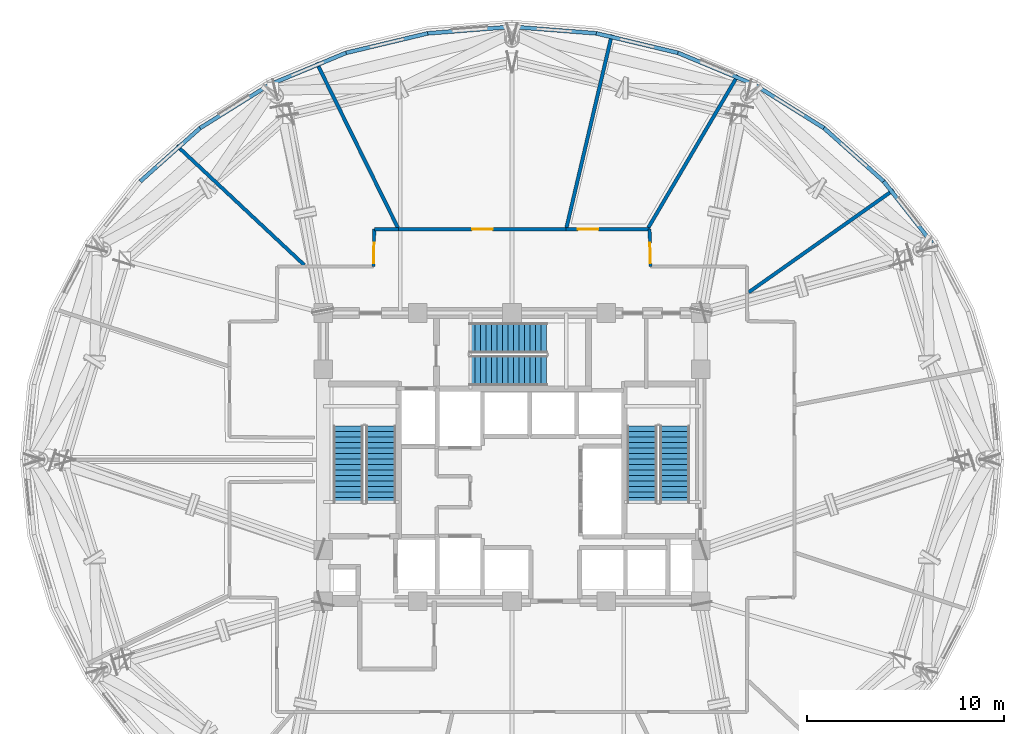
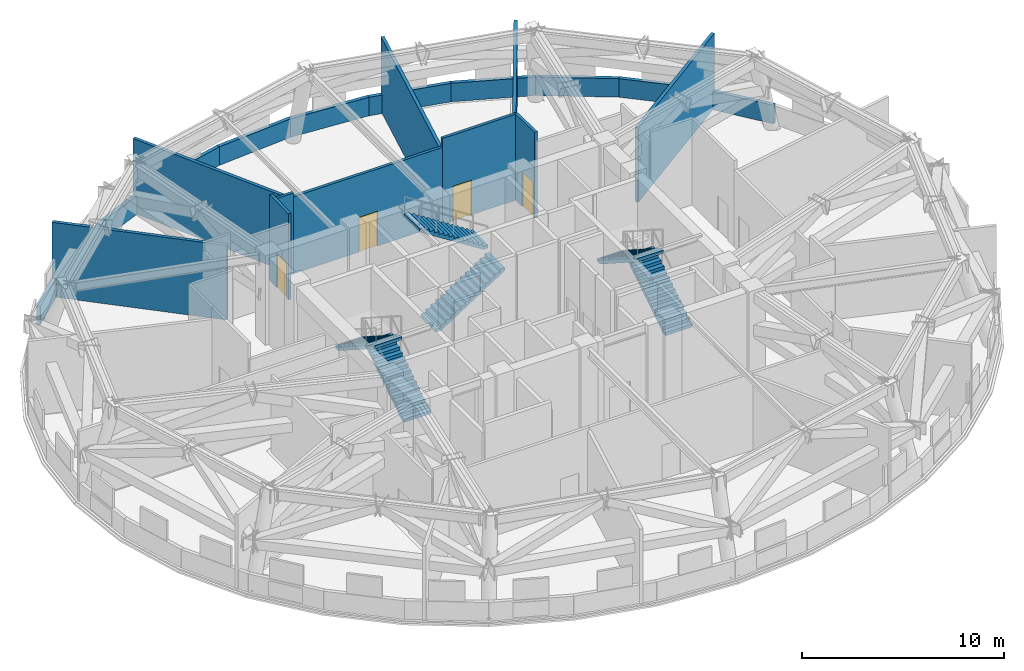
# One storey, part 9 of 13: 21 walls, 6 stair flights, 4 doors, 4 openings, 3 elements without a shape of their own.
"""IFC4 building model written with IfcOpenShell, lengths in metres."""

from ifc_helpers import new_model, si_unit, direction, frame, frame_2d, origin, place, context, subcontext, project, spatial, polyline, rectangle, outline, extrude, material, layer, layer_set, type_object, element, fill, aggregate, save


model = new_model("IFC4")

# Units and contexts
model_context = context("Model", 3, precision=1e-05, world=origin(), true_north=direction((0.0, 1.0)))
body_context = subcontext(model_context, "Body", "Model", "MODEL_VIEW")
ifc_project = project(units=[si_unit("LENGTHUNIT", "METRE"), si_unit("AREAUNIT", "SQUARE_METRE"), si_unit("VOLUMEUNIT", "CUBIC_METRE"), si_unit("PLANEANGLEUNIT", "RADIAN"), si_unit("MASSUNIT", "GRAM", prefix="KILO")], contexts=[model_context])

# Site, building, storey
site_placement = place(None, origin())
site = spatial("IfcSite", under=ifc_project, at=site_placement, CompositionType="ELEMENT")
building_placement = place(site_placement, origin())
building = spatial("IfcBuilding", under=site, at=building_placement, Name="Vantalir Tower", CompositionType="ELEMENT")
storey_placement = place(building_placement, frame((0.0, 0.0, 175.949951171875)))
storey = spatial("IfcBuildingStorey", under=building, at=storey_placement, Name="L44", CompositionType="ELEMENT", Elevation=175.949951171875)

# Wall, opening, door
ifc_material_1 = material(Name="Fire-rated hotel corridor acoustic partition", Category="gypsum")
ifc_layer_1 = layer(ifc_material_1, 0.159912109375)
ifc_layer_set_1 = layer_set([ifc_layer_1], Name="Fire-rated hotel corridor acoustic partition")
wall_type_1 = type_object("IfcWallType", Name="WL-CORR-160", PredefinedType="PARTITIONING", material=ifc_layer_set_1)
wall_1_placement = place(storey_placement, frame((24.4599609375, 34.81494140625, 0.0), z_axis=(0.0, 0.0, 1.0), x_axis=(0.019012366542, 0.999819248624, 0.0)))
wall_1 = element("IfcWall", 1, at=wall_1_placement, inside=storey, type_object=wall_type_1, Name="L44 Corridor Partition 08", PredefinedType="PARTITIONING", context=body_context, shape_type="SweptSolid", body=[
    extrude(rectangle(XDim=1.900390625, YDim=0.159912109375, at=frame_2d((0.9501953125, 0.0))), origin(), (0.0, 0.0, 1.0), 5.199951171875),
])
opening_1_placement = place(wall_1_placement, frame((0.159912109375, 0.0, 0.0)))
opening_1 = element("IfcOpeningElement", 2, at=opening_1_placement, cuts=wall_1, Name="Opening D-ST", PredefinedType="OPENING", context=body_context, shape_type="SweptSolid", body=[
    extrude(rectangle(XDim=1.050048828125, YDim=2.10009765625, at=frame_2d((0.52490234375, 1.050048828125))), frame((0.0, 0.08984375, 0.0), z_axis=(0.0, -1.0, 0.0), x_axis=(1.0, 0.0, 0.0)), (0.0, 0.0, 1.0), 0.179931640625),
])
ifc_material_2 = material(Name="Fire-rated steel door leaf", Category="steel")
door_type = type_object("IfcDoorType", Name="DR-FIRE-STAIR-1050", OperationType="NOTDEFINED", PredefinedType="DOOR", material=ifc_material_2)
door_1_placement = place(opening_1_placement, origin())
door_1 = element("IfcDoor", 3, at=door_1_placement, inside=storey, type_object=door_type, Name="L44 North Dehumidification Plant Room Door", OperationType="SINGLE_SWING_RIGHT", OverallHeight=2.10009765625, OverallWidth=1.050048828125, PredefinedType="DOOR", context=body_context, shape_type="SweptSolid", body=[
    extrude(rectangle(XDim=1.050048828125, YDim=2.10009765625, at=frame_2d((0.52490234375, 1.050048828125))), frame((0.0, 0.02490234375, 0.0), z_axis=(0.0, -1.0, 0.0), x_axis=(1.0, 0.0, 0.0)), (0.0, 0.0, 1.0), 0.050048828125),
])
fill(opening_1, door_1)

# Wall
wall_2_placement = place(storey_placement, frame((24.49609375, 36.715087890625, 0.0), z_axis=(0.0, 0.0, 1.0), x_axis=(1.0, 0.0, 0.0)))
element("IfcWall", 4, at=wall_2_placement, inside=storey, type_object=wall_type_1, Name="L44 Corridor Partition 09", PredefinedType="PARTITIONING", context=body_context, shape_type="SweptSolid", body=[
    extrude(rectangle(XDim=1.23681640625, YDim=0.159912109375, at=frame_2d((0.618408203125, 0.0))), origin(), (0.0, 0.0, 1.0), 4.886962890625),
])

# Wall, opening, door
wall_3_placement = place(storey_placement, frame((25.73291015625, 36.715087890625, 0.0), z_axis=(0.0, 0.0, 1.0), x_axis=(1.0, 0.0, 0.0)))
wall_3 = element("IfcWall", 5, at=wall_3_placement, inside=storey, type_object=wall_type_1, Name="L44 Corridor Partition 10", PredefinedType="PARTITIONING", context=body_context, shape_type="SweptSolid", body=[
    extrude(rectangle(XDim=8.52001953125, YDim=0.159912109375, at=frame_2d((4.260009765625, 0.0))), origin(), (0.0, 0.0, 1.0), 4.656005859375),
])
opening_2_placement = place(wall_3_placement, frame((3.735107421875, 0.0, 0.0)))
opening_2 = element("IfcOpeningElement", 6, at=opening_2_placement, cuts=wall_3, Name="Opening D-ST", PredefinedType="OPENING", context=body_context, shape_type="SweptSolid", body=[
    extrude(rectangle(XDim=1.050048828125, YDim=2.10009765625, at=frame_2d((0.52490234375, 1.050048828125))), frame((0.0, 0.08984375, 0.0), z_axis=(0.0, -1.0, 0.0), x_axis=(1.0, 0.0, 0.0)), (0.0, 0.0, 1.0), 0.179931640625),
])
door_2_placement = place(opening_2_placement, origin())
door_2 = element("IfcDoor", 7, at=door_2_placement, inside=storey, type_object=door_type, Name="L44 Refuge Area North Door", OperationType="SINGLE_SWING_LEFT", OverallHeight=2.10009765625, OverallWidth=1.050048828125, PredefinedType="DOOR", context=body_context, shape_type="SweptSolid", body=[
    extrude(rectangle(XDim=1.050048828125, YDim=2.10009765625, at=frame_2d((0.52490234375, 1.050048828125))), frame((0.0, 0.02490234375, 0.0), z_axis=(0.0, -1.0, 0.0), x_axis=(1.0, 0.0, 0.0)), (0.0, 0.0, 1.0), 0.050048828125),
])
fill(opening_2, door_2)

wall_4_placement = place(storey_placement, frame((34.2529296875, 36.715087890625, 0.0), z_axis=(0.0, 0.0, 1.0), x_axis=(1.0, 0.0, 0.0)))
wall_4 = element("IfcWall", 8, at=wall_4_placement, inside=storey, type_object=wall_type_1, Name="L44 Corridor Partition 11", PredefinedType="PARTITIONING", context=body_context, shape_type="SweptSolid", body=[
    extrude(rectangle(XDim=4.2470703125, YDim=0.159912109375, at=frame_2d((2.12353515625, 0.0))), origin(), (0.0, 0.0, 1.0), 5.199951171875),
])
opening_3_placement = place(wall_4_placement, frame((0.592041015625, 0.0, 0.0)))
opening_3 = element("IfcOpeningElement", 9, at=opening_3_placement, cuts=wall_4, Name="Opening D-ST", PredefinedType="OPENING", context=body_context, shape_type="SweptSolid", body=[
    extrude(rectangle(XDim=1.050048828125, YDim=2.10009765625, at=frame_2d((0.52490234375, 1.050048828125))), frame((0.0, 0.08984375, 0.0), z_axis=(0.0, -1.0, 0.0), x_axis=(1.0, 0.0, 0.0)), (0.0, 0.0, 1.0), 0.179931640625),
])
door_3_placement = place(opening_3_placement, origin())
door_3 = element("IfcDoor", 10, at=door_3_placement, inside=storey, type_object=door_type, Name="L44 East Air Handling Plant Room Door", OperationType="SINGLE_SWING_RIGHT", OverallHeight=2.10009765625, OverallWidth=1.050048828125, PredefinedType="DOOR", context=body_context, shape_type="SweptSolid", body=[
    extrude(rectangle(XDim=1.050048828125, YDim=2.10009765625, at=frame_2d((0.52490234375, 1.050048828125))), frame((0.0, 0.02490234375, 0.0), z_axis=(0.0, -1.0, 0.0), x_axis=(1.0, 0.0, 0.0)), (0.0, 0.0, 1.0), 0.050048828125),
])
fill(opening_3, door_3)

wall_5_placement = place(storey_placement, frame((38.5, 36.715087890625, 0.0), z_axis=(0.0, 0.0, 1.0), x_axis=(0.021066889789, -0.999778068451, 0.0)))
wall_5 = element("IfcWall", 11, at=wall_5_placement, inside=storey, type_object=wall_type_1, Name="L44 Corridor Partition 12", PredefinedType="PARTITIONING", context=body_context, shape_type="SweptSolid", body=[
    extrude(rectangle(XDim=1.900634765625, YDim=0.159912109375, at=frame_2d((0.9501953125, 0.0))), origin(), (0.0, 0.0, 1.0), 5.199951171875),
])
opening_4_placement = place(wall_5_placement, frame((0.68994140625, 0.0, 0.0)))
opening_4 = element("IfcOpeningElement", 12, at=opening_4_placement, cuts=wall_5, Name="Opening D-ST", PredefinedType="OPENING", context=body_context, shape_type="SweptSolid", body=[
    extrude(rectangle(XDim=1.050048828125, YDim=2.10009765625, at=frame_2d((0.52490234375, 1.050048828125))), frame((0.0, 0.08984375, 0.0), z_axis=(0.0, -1.0, 0.0), x_axis=(1.0, 0.0, 0.0)), (0.0, 0.0, 1.0), 0.179931640625),
])
door_4_placement = place(opening_4_placement, origin())
door_4 = element("IfcDoor", 13, at=door_4_placement, inside=storey, type_object=door_type, Name="L44 Plate Heat Exchanger Plant Room Door", OperationType="SINGLE_SWING_LEFT", OverallHeight=2.10009765625, OverallWidth=1.050048828125, PredefinedType="DOOR", context=body_context, shape_type="SweptSolid", body=[
    extrude(rectangle(XDim=1.050048828125, YDim=2.10009765625, at=frame_2d((0.52490234375, 1.050048828125))), frame((0.0, 0.02490234375, 0.0), z_axis=(0.0, -1.0, 0.0), x_axis=(1.0, 0.0, 0.0)), (0.0, 0.0, 1.0), 0.050048828125),
])
fill(opening_4, door_4)

# Walls
ifc_material_3 = material(Name="Twin-stud acoustic fire-rated gypsum partition", Category="gypsum")
ifc_layer_2 = layer(ifc_material_3, 0.179931640625)
ifc_layer_set_2 = layer_set([ifc_layer_2], Name="Twin-stud acoustic fire-rated gypsum partition")
wall_type_2 = type_object("IfcWallType", Name="WL-GUEST-180", PredefinedType="PARTITIONING", material=ifc_layer_set_2)
wall_6_placement = place(storey_placement, frame((43.5400390625, 33.507080078125, 0.0), z_axis=(0.0, 0.0, 1.0), x_axis=(0.816734387324, 0.577013813147, 0.0)))
element("IfcWall", 14, at=wall_6_placement, inside=storey, type_object=wall_type_2, Name="L44 Radial Suite Partition 02", PredefinedType="PARTITIONING", context=body_context, shape_type="SweptSolid", body=[
    extrude(rectangle(XDim=9.01513671875, YDim=0.179931640625, at=frame_2d((4.507568359375, 0.0))), origin(), (0.0, 0.0, 1.0), 4.5029296875),
])
wall_7_placement = place(storey_placement, frame((38.430908203125, 36.7900390625, 0.0), z_axis=(0.0, 0.0, 1.0), x_axis=(0.506851682324, 0.862033277852, 0.0)))
element("IfcWall", 15, at=wall_7_placement, inside=storey, type_object=wall_type_2, Name="L44 Radial Suite Partition 03", PredefinedType="PARTITIONING", context=body_context, shape_type="SweptSolid", body=[
    extrude(rectangle(XDim=8.994873046875, YDim=0.179931640625, at=frame_2d((4.49755859375, 0.0))), origin(), (0.0, 0.0, 1.0), 4.5029296875),
])
wall_8_placement = place(storey_placement, frame((34.27099609375, 36.7900390625, 0.0), z_axis=(0.0, 0.0, 1.0), x_axis=(0.22880460847, 0.97347236794, 0.0)))
element("IfcWall", 16, at=wall_8_placement, inside=storey, type_object=wall_type_2, Name="L44 Radial Suite Partition 04", PredefinedType="PARTITIONING", context=body_context, shape_type="SweptSolid", body=[
    extrude(rectangle(XDim=10.087646484375, YDim=0.179931640625, at=frame_2d((5.0439453125, 0.0))), origin(), (0.0, 0.0, 1.0), 4.5029296875),
])
wall_9_placement = place(storey_placement, frame((25.696044921875, 36.7900390625, 0.0), z_axis=(0.0, 0.0, 1.0), x_axis=(-0.441739885497, 0.89714317339, 0.0)))
element("IfcWall", 17, at=wall_9_placement, inside=storey, type_object=wall_type_2, Name="L44 Radial Suite Partition 05", PredefinedType="PARTITIONING", context=body_context, shape_type="SweptSolid", body=[
    extrude(rectangle(XDim=9.363037109375, YDim=0.179931640625, at=frame_2d((4.681640625, 0.0))), origin(), (0.0, 0.0, 1.0), 4.5029296875),
])
wall_10_placement = place(storey_placement, frame((20.93896484375, 34.889892578125, 0.0), z_axis=(0.0, 0.0, 1.0), x_axis=(-0.729897749782, 0.683556343591, 0.0)))
element("IfcWall", 18, at=wall_10_placement, inside=storey, type_object=wall_type_2, Name="L44 Radial Suite Partition 06", PredefinedType="PARTITIONING", context=body_context, shape_type="SweptSolid", body=[
    extrude(rectangle(XDim=8.8876953125, YDim=0.179931640625, at=frame_2d((4.44384765625, 0.0))), origin(), (0.0, 0.0, 1.0), 4.5029296875),
])
ifc_material_4 = material(Name="Concrete C40/50 parapet upstand", Category="concrete")
ifc_layer_3 = layer(ifc_material_4, 0.199951171875)
ifc_layer_set_3 = layer_set([ifc_layer_3], Name="Concrete C40/50 parapet upstand")
wall_type_3 = type_object("IfcWallType", Name="WL-PARA-200", PredefinedType="PARAPET", material=ifc_layer_set_3)
wall_11_placement = place(storey_placement, frame((52.8740234375, 36.006103515625, 0.0), z_axis=(0.0, 0.0, 1.0), x_axis=(-0.617613767336, 0.786481553755, 0.0)))
element("IfcWall", 19, at=wall_11_placement, inside=storey, type_object=wall_type_3, Name="L44 Refuge Perimeter Parapet R04", PredefinedType="PARAPET", context=body_context, shape_type="SweptSolid", body=[
    extrude(rectangle(XDim=3.99609375, YDim=0.199951171875, at=frame_2d((1.998046875, 0.0))), origin(), (0.0, 0.0, 1.0), 1.1201171875),
])
wall_12_placement = place(storey_placement, frame((50.406005859375, 39.14892578125, 0.0), z_axis=(0.0, 0.0, 1.0), x_axis=(-0.746294630342, 0.665615748554, 0.0)))
element("IfcWall", 20, at=wall_12_placement, inside=storey, type_object=wall_type_3, Name="L44 Refuge Perimeter Parapet R05", PredefinedType="PARAPET", context=body_context, shape_type="SweptSolid", body=[
    extrude(rectangle(XDim=4.076171875, YDim=0.199951171875, at=frame_2d((2.0380859375, 0.0))), origin(), (0.0, 0.0, 1.0), 1.1201171875),
])
wall_13_placement = place(storey_placement, frame((47.364013671875, 41.862060546875, 0.0), z_axis=(0.0, 0.0, 1.0), x_axis=(-0.848163323241, 0.529734817723, 0.0)))
element("IfcWall", 21, at=wall_13_placement, inside=storey, type_object=wall_type_3, Name="L44 Refuge Perimeter Parapet R06", PredefinedType="PARAPET", context=body_context, shape_type="SweptSolid", body=[
    extrude(rectangle(XDim=4.15478515625, YDim=0.199951171875, at=frame_2d((2.077392578125, 0.0))), origin(), (0.0, 0.0, 1.0), 1.1201171875),
])
wall_14_placement = place(storey_placement, frame((43.840087890625, 44.06298828125, 0.0), z_axis=(0.0, 0.0, 1.0), x_axis=(-0.92329399342, 0.384094001145, 0.0)))
element("IfcWall", 22, at=wall_14_placement, inside=storey, type_object=wall_type_3, Name="L44 Refuge Perimeter Parapet R07", PredefinedType="PARAPET", context=body_context, shape_type="SweptSolid", body=[
    extrude(rectangle(XDim=4.22314453125, YDim=0.199951171875, at=frame_2d((2.111572265625, 0.0))), origin(), (0.0, 0.0, 1.0), 1.1201171875),
])
wall_15_placement = place(storey_placement, frame((39.94091796875, 45.68505859375, 0.0), z_axis=(0.0, 0.0, 1.0), x_axis=(-0.972614569431, 0.232423964621, 0.0)))
element("IfcWall", 23, at=wall_15_placement, inside=storey, type_object=wall_type_3, Name="L44 Refuge Perimeter Parapet R08", PredefinedType="PARAPET", context=body_context, shape_type="SweptSolid", body=[
    extrude(rectangle(XDim=4.27197265625, YDim=0.199951171875, at=frame_2d((2.135986328125, 0.0))), origin(), (0.0, 0.0, 1.0), 1.1201171875),
])
for number, where, z_axis, x_axis, name in (
    (24, (35.785888671875, 46.677978515625, 0.0), (0.0, 0.0, 1.0), (-0.996977487805, 0.077690982815, 0.0), "L44 Refuge Perimeter Parapet R09"),
    (25, (31.5, 47.011962890625, 0.0), (0.0, 0.0, 1.0), (-0.996977487805, -0.077690982815, 0.0), "L44 Refuge Perimeter Parapet R10"),
):
    element("IfcWall", number, at=place(storey_placement, frame(where, z_axis=z_axis, x_axis=x_axis)), inside=storey, type_object=wall_type_3, Name=name, PredefinedType="PARAPET", context=body_context, shape_type="SweptSolid", body=[
        extrude(rectangle(XDim=4.298828125, YDim=0.199951171875, at=frame_2d((2.1494140625, 0.0))), origin(), (0.0, 0.0, 1.0), 1.1201171875),
    ])
wall_16_placement = place(storey_placement, frame((27.214111328125, 46.677978515625, 0.0), z_axis=(0.0, 0.0, 1.0), x_axis=(-0.972614569431, -0.232423964621, 0.0)))
element("IfcWall", 26, at=wall_16_placement, inside=storey, type_object=wall_type_3, Name="L44 Refuge Perimeter Parapet R11", PredefinedType="PARAPET", context=body_context, shape_type="SweptSolid", body=[
    extrude(rectangle(XDim=4.27197265625, YDim=0.199951171875, at=frame_2d((2.135986328125, 0.0))), origin(), (0.0, 0.0, 1.0), 1.1201171875),
])
wall_17_placement = place(storey_placement, frame((23.05908203125, 45.68505859375, 0.0), z_axis=(0.0, 0.0, 1.0), x_axis=(-0.92329399342, -0.384094001145, 0.0)))
element("IfcWall", 27, at=wall_17_placement, inside=storey, type_object=wall_type_3, Name="L44 Refuge Perimeter Parapet R12", PredefinedType="PARAPET", context=body_context, shape_type="SweptSolid", body=[
    extrude(rectangle(XDim=4.22314453125, YDim=0.199951171875, at=frame_2d((2.111572265625, 0.0))), origin(), (0.0, 0.0, 1.0), 1.1201171875),
])
wall_18_placement = place(storey_placement, frame((19.159912109375, 44.06298828125, 0.0), z_axis=(0.0, 0.0, 1.0), x_axis=(-0.848163323241, -0.529734817723, 0.0)))
element("IfcWall", 28, at=wall_18_placement, inside=storey, type_object=wall_type_3, Name="L44 Refuge Perimeter Parapet R13", PredefinedType="PARAPET", context=body_context, shape_type="SweptSolid", body=[
    extrude(rectangle(XDim=4.15478515625, YDim=0.199951171875, at=frame_2d((2.077392578125, 0.0))), origin(), (0.0, 0.0, 1.0), 1.1201171875),
])
wall_19_placement = place(storey_placement, frame((15.635986328125, 41.862060546875, 0.0), z_axis=(0.0, 0.0, 1.0), x_axis=(-0.746294630342, -0.665615748554, 0.0)))
element("IfcWall", 29, at=wall_19_placement, inside=storey, type_object=wall_type_3, Name="L44 Refuge Perimeter Parapet R14", PredefinedType="PARAPET", context=body_context, shape_type="SweptSolid", body=[
    extrude(rectangle(XDim=4.076171875, YDim=0.199951171875, at=frame_2d((2.0380859375, 0.0))), origin(), (0.0, 0.0, 1.0), 1.1201171875),
])

# Stair, stair flights
ifc_material_5 = material(Name="Concrete C40/50", Category="concrete")
stair_type = type_object("IfcStairType", Name="STR-CORE-1450", PredefinedType="HALF_TURN_STAIR", material=ifc_material_5)
stair_1_placement = place(storey_placement, origin())
stair_1 = element("IfcStair", 30, at=stair_1_placement, inside=storey, type_object=stair_type, Name="L44 Core Exit Stair 1", PredefinedType="HALF_TURN_STAIR")
stair_flight_type = type_object("IfcStairFlightType", Name="FLT-CORE-1450", PredefinedType="STRAIGHT", material=ifc_material_5)
stair_flight_1_placement = place(storey_placement, frame((24.830078125, 22.7900390625, 0.0), z_axis=(0.0, 0.0, 1.0), x_axis=(0.0, 1.0, 0.0)))
stair_flight_1 = element("IfcStairFlight", 31, at=stair_flight_1_placement, type_object=stair_flight_type, Name="ST1 flight 1", NumberOfRisers=15, NumberOfTreads=14, PredefinedType="STRAIGHT", RiserHeight=0.18, TreadLength=0.28, context=body_context, shape_type="SweptSolid", body=[
    extrude(outline(polyline([(0.0, 0.0), (0.0, 0.179931640625), (0.280029296875, 0.179931640625), (0.280029296875, 0.360107421875), (0.56005859375, 0.360107421875), (0.56005859375, 0.5400390625), (0.840087890625, 0.5400390625), (0.840087890625, 0.719970703125), (1.1201171875, 0.719970703125), (1.1201171875, 0.89990234375), (1.39990234375, 0.89990234375), (1.39990234375, 1.080078125), (1.679931640625, 1.080078125), (1.679931640625, 1.260009765625), (1.9599609375, 1.260009765625), (1.9599609375, 1.43994140625), (2.239990234375, 1.43994140625), (2.239990234375, 1.6201171875), (2.52001953125, 1.6201171875), (2.52001953125, 1.800048828125), (2.800048828125, 1.800048828125), (2.800048828125, 1.97998046875), (3.080078125, 1.97998046875), (3.080078125, 2.159912109375), (3.360107421875, 2.159912109375), (3.360107421875, 2.340087890625), (3.639892578125, 2.340087890625), (3.639892578125, 2.52001953125), (3.919921875, 2.52001953125), (3.919921875, 2.699951171875), (3.919921875, 2.341796875), (0.277099609375, 0.0), (0.0, 0.0)])), frame((0.0, 0.77001953125, 0.0), z_axis=(0.0, -1.0, 0.0), x_axis=(1.0, 0.0, 0.0)), (0.0, 0.0, 1.0), 1.5400390625),
])
stair_flight_2_placement = place(storey_placement, frame((23.169921875, 26.7099609375, 2.699951171875), z_axis=(0.0, 0.0, 1.0), x_axis=(0.0, -1.0, 0.0)))
stair_flight_2 = element("IfcStairFlight", 32, at=stair_flight_2_placement, type_object=stair_flight_type, Name="ST1 flight 2", NumberOfRisers=15, NumberOfTreads=14, PredefinedType="STRAIGHT", RiserHeight=0.18, TreadLength=0.28, context=body_context, shape_type="SweptSolid", body=[
    extrude(outline(polyline([(0.0, 0.0), (0.0, 0.179931640625), (0.280029296875, 0.179931640625), (0.280029296875, 0.360107421875), (0.56005859375, 0.360107421875), (0.56005859375, 0.5400390625), (0.840087890625, 0.5400390625), (0.840087890625, 0.719970703125), (1.1201171875, 0.719970703125), (1.1201171875, 0.89990234375), (1.39990234375, 0.89990234375), (1.39990234375, 1.080078125), (1.679931640625, 1.080078125), (1.679931640625, 1.260009765625), (1.9599609375, 1.260009765625), (1.9599609375, 1.43994140625), (2.239990234375, 1.43994140625), (2.239990234375, 1.6201171875), (2.52001953125, 1.6201171875), (2.52001953125, 1.800048828125), (2.800048828125, 1.800048828125), (2.800048828125, 1.97998046875), (3.080078125, 1.97998046875), (3.080078125, 2.159912109375), (3.360107421875, 2.159912109375), (3.360107421875, 2.340087890625), (3.639892578125, 2.340087890625), (3.639892578125, 2.52001953125), (3.919921875, 2.52001953125), (3.919921875, 2.699951171875), (3.919921875, 2.341796875), (0.277099609375, 0.0), (0.0, 0.0)])), frame((0.0, 0.77001953125, 0.0), z_axis=(0.0, -1.0, 0.0), x_axis=(1.0, 0.0, 0.0)), (0.0, 0.0, 1.0), 1.5400390625),
])
aggregate(stair_1, [stair_flight_1, stair_flight_2])

stair_2_placement = place(storey_placement, origin())
stair_2 = element("IfcStair", 33, at=stair_2_placement, inside=storey, type_object=stair_type, Name="L44 Core Exit Stair 2", PredefinedType="HALF_TURN_STAIR")
stair_flight_3_placement = place(storey_placement, frame((39.780029296875, 22.7900390625, 0.0), z_axis=(0.0, 0.0, 1.0), x_axis=(0.0, 1.0, 0.0)))
stair_flight_3 = element("IfcStairFlight", 34, at=stair_flight_3_placement, type_object=stair_flight_type, Name="ST2 flight 1", NumberOfRisers=15, NumberOfTreads=14, PredefinedType="STRAIGHT", RiserHeight=0.18, TreadLength=0.28, context=body_context, shape_type="SweptSolid", body=[
    extrude(outline(polyline([(0.0, 0.0), (0.0, 0.179931640625), (0.280029296875, 0.179931640625), (0.280029296875, 0.360107421875), (0.56005859375, 0.360107421875), (0.56005859375, 0.5400390625), (0.840087890625, 0.5400390625), (0.840087890625, 0.719970703125), (1.1201171875, 0.719970703125), (1.1201171875, 0.89990234375), (1.39990234375, 0.89990234375), (1.39990234375, 1.080078125), (1.679931640625, 1.080078125), (1.679931640625, 1.260009765625), (1.9599609375, 1.260009765625), (1.9599609375, 1.43994140625), (2.239990234375, 1.43994140625), (2.239990234375, 1.6201171875), (2.52001953125, 1.6201171875), (2.52001953125, 1.800048828125), (2.800048828125, 1.800048828125), (2.800048828125, 1.97998046875), (3.080078125, 1.97998046875), (3.080078125, 2.159912109375), (3.360107421875, 2.159912109375), (3.360107421875, 2.340087890625), (3.639892578125, 2.340087890625), (3.639892578125, 2.52001953125), (3.919921875, 2.52001953125), (3.919921875, 2.699951171875), (3.919921875, 2.341796875), (0.277099609375, 0.0), (0.0, 0.0)])), frame((0.0, 0.77001953125, 0.0), z_axis=(0.0, -1.0, 0.0), x_axis=(1.0, 0.0, 0.0)), (0.0, 0.0, 1.0), 1.5400390625),
])
stair_flight_4_placement = place(storey_placement, frame((38.1201171875, 26.7099609375, 2.699951171875), z_axis=(0.0, 0.0, 1.0), x_axis=(0.0, -1.0, 0.0)))
stair_flight_4 = element("IfcStairFlight", 35, at=stair_flight_4_placement, type_object=stair_flight_type, Name="ST2 flight 2", NumberOfRisers=15, NumberOfTreads=14, PredefinedType="STRAIGHT", RiserHeight=0.18, TreadLength=0.28, context=body_context, shape_type="SweptSolid", body=[
    extrude(outline(polyline([(0.0, 0.0), (0.0, 0.179931640625), (0.280029296875, 0.179931640625), (0.280029296875, 0.360107421875), (0.56005859375, 0.360107421875), (0.56005859375, 0.5400390625), (0.840087890625, 0.5400390625), (0.840087890625, 0.719970703125), (1.1201171875, 0.719970703125), (1.1201171875, 0.89990234375), (1.39990234375, 0.89990234375), (1.39990234375, 1.080078125), (1.679931640625, 1.080078125), (1.679931640625, 1.260009765625), (1.9599609375, 1.260009765625), (1.9599609375, 1.43994140625), (2.239990234375, 1.43994140625), (2.239990234375, 1.6201171875), (2.52001953125, 1.6201171875), (2.52001953125, 1.800048828125), (2.800048828125, 1.800048828125), (2.800048828125, 1.97998046875), (3.080078125, 1.97998046875), (3.080078125, 2.159912109375), (3.360107421875, 2.159912109375), (3.360107421875, 2.340087890625), (3.639892578125, 2.340087890625), (3.639892578125, 2.52001953125), (3.919921875, 2.52001953125), (3.919921875, 2.699951171875), (3.919921875, 2.341796875), (0.277099609375, 0.0), (0.0, 0.0)])), frame((0.0, 0.77001953125, 0.0), z_axis=(0.0, -1.0, 0.0), x_axis=(1.0, 0.0, 0.0)), (0.0, 0.0, 1.0), 1.5400390625),
])
aggregate(stair_2, [stair_flight_3, stair_flight_4])

stair_3_placement = place(storey_placement, origin())
stair_3 = element("IfcStair", 36, at=stair_3_placement, inside=storey, type_object=stair_type, Name="L44 Core Exit Stair 3", PredefinedType="HALF_TURN_STAIR")
stair_flight_5_placement = place(storey_placement, frame((29.340087890625, 29.52001953125, 0.0), z_axis=(0.0, 0.0, 1.0), x_axis=(1.0, 0.0, 0.0)))
stair_flight_5 = element("IfcStairFlight", 37, at=stair_flight_5_placement, type_object=stair_flight_type, Name="ST3 flight 1", NumberOfRisers=15, NumberOfTreads=14, PredefinedType="STRAIGHT", RiserHeight=0.18, TreadLength=0.28, context=body_context, shape_type="SweptSolid", body=[
    extrude(outline(polyline([(0.0, 0.0), (0.0, 0.179931640625), (0.280029296875, 0.179931640625), (0.280029296875, 0.360107421875), (0.56005859375, 0.360107421875), (0.56005859375, 0.5400390625), (0.840087890625, 0.5400390625), (0.840087890625, 0.719970703125), (1.1201171875, 0.719970703125), (1.1201171875, 0.89990234375), (1.39990234375, 0.89990234375), (1.39990234375, 1.080078125), (1.679931640625, 1.080078125), (1.679931640625, 1.260009765625), (1.9599609375, 1.260009765625), (1.9599609375, 1.43994140625), (2.239990234375, 1.43994140625), (2.239990234375, 1.6201171875), (2.52001953125, 1.6201171875), (2.52001953125, 1.800048828125), (2.800048828125, 1.800048828125), (2.800048828125, 1.97998046875), (3.080078125, 1.97998046875), (3.080078125, 2.159912109375), (3.360107421875, 2.159912109375), (3.360107421875, 2.340087890625), (3.639892578125, 2.340087890625), (3.639892578125, 2.52001953125), (3.919921875, 2.52001953125), (3.919921875, 2.699951171875), (3.919921875, 2.341796875), (0.277099609375, 0.0), (0.0, 0.0)])), frame((0.0, 0.77001953125, 0.0), z_axis=(0.0, -1.0, 0.0), x_axis=(1.0, 0.0, 0.0)), (0.0, 0.0, 1.0), 1.5400390625),
])
stair_flight_6_placement = place(storey_placement, frame((33.260009765625, 31.179931640625, 2.699951171875), z_axis=(0.0, 0.0, 1.0), x_axis=(-1.0, 0.0, 0.0)))
stair_flight_6 = element("IfcStairFlight", 38, at=stair_flight_6_placement, type_object=stair_flight_type, Name="ST3 flight 2", NumberOfRisers=15, NumberOfTreads=14, PredefinedType="STRAIGHT", RiserHeight=0.18, TreadLength=0.28, context=body_context, shape_type="SweptSolid", body=[
    extrude(outline(polyline([(0.0, 0.0), (0.0, 0.179931640625), (0.280029296875, 0.179931640625), (0.280029296875, 0.360107421875), (0.56005859375, 0.360107421875), (0.56005859375, 0.5400390625), (0.840087890625, 0.5400390625), (0.840087890625, 0.719970703125), (1.1201171875, 0.719970703125), (1.1201171875, 0.89990234375), (1.39990234375, 0.89990234375), (1.39990234375, 1.080078125), (1.679931640625, 1.080078125), (1.679931640625, 1.260009765625), (1.9599609375, 1.260009765625), (1.9599609375, 1.43994140625), (2.239990234375, 1.43994140625), (2.239990234375, 1.6201171875), (2.52001953125, 1.6201171875), (2.52001953125, 1.800048828125), (2.800048828125, 1.800048828125), (2.800048828125, 1.97998046875), (3.080078125, 1.97998046875), (3.080078125, 2.159912109375), (3.360107421875, 2.159912109375), (3.360107421875, 2.340087890625), (3.639892578125, 2.340087890625), (3.639892578125, 2.52001953125), (3.919921875, 2.52001953125), (3.919921875, 2.699951171875), (3.919921875, 2.341796875), (0.277099609375, 0.0), (0.0, 0.0)])), frame((0.0, 0.77001953125, 0.0), z_axis=(0.0, -1.0, 0.0), x_axis=(1.0, 0.0, 0.0)), (0.0, 0.0, 1.0), 1.5400390625),
])
aggregate(stair_3, [stair_flight_5, stair_flight_6])

save(model, "model.ifc")
